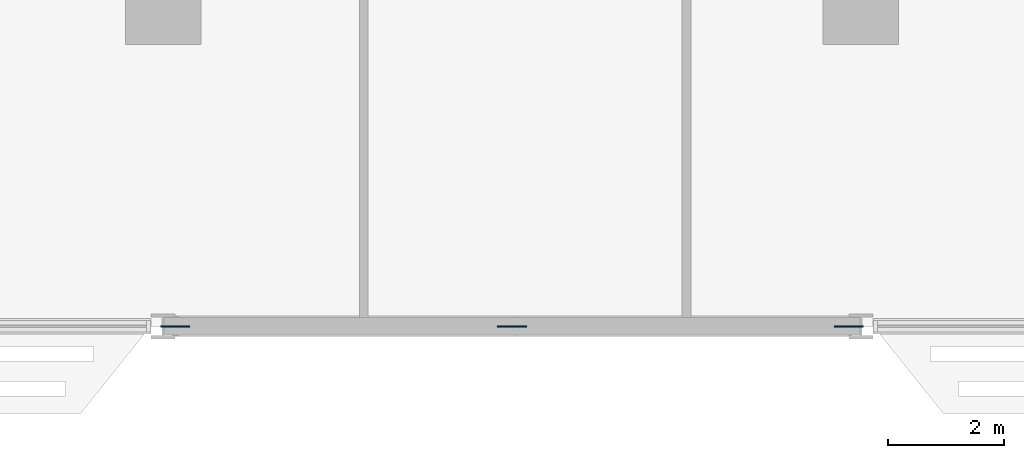
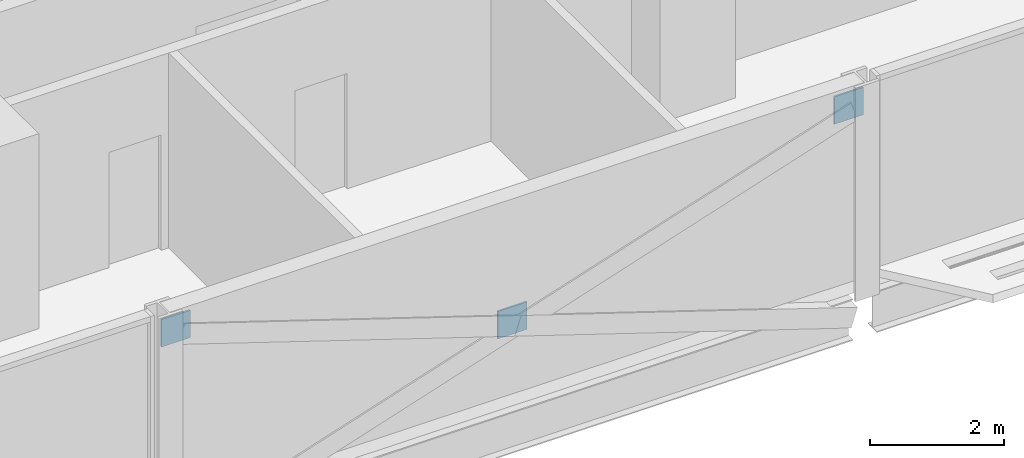
# One storey, part 21 of 29: 3 discrete accessories.
"""IFC4 building model written with IfcOpenShell, lengths in metres."""

import ifcopenshell
import ifcopenshell.guid

model = None  # the IFC model being written
_history = None  # IfcOwnerHistory: only IFC2X3 demands one
_inside = {}  # id of a spatial element -> (the spatial element, [elements in it])
_under = {}  # id of a project, library or spatial element -> (it, [spatial elements below it])
_declared = {}  # id of a project -> (the project, [libraries it declares])
_typed = {}  # id of a type object -> (the type object, [elements of that type])
_made_of = {}  # id of a material, layer set ... -> (it, [elements and type objects made of it])


def new_model(schema):
    """Start an empty IFC model of exactly this schema.

    Asked for "IFC4X3", IfcOpenShell would pick the latest addendum, in which some entities
    have other attributes; the version numbers below select the first issue.
    IFC2X3 requires an IfcOwnerHistory on every rooted entity: one is made here for all.
    """
    global model, _history
    if schema == "IFC4X3":
        model = ifcopenshell.file(schema_version=(4, 3, 0, 0))
    else:
        model = ifcopenshell.file(schema=schema)
    _inside.clear()
    _under.clear()
    _declared.clear()
    _typed.clear()
    _made_of.clear()
    _history = None
    if model.schema == "IFC2X3":
        org = make("IfcOrganization", Name="unknown")
        user = make(
            "IfcPersonAndOrganization",
            ThePerson=make("IfcPerson", FamilyName="unknown"),
            TheOrganization=org,
        )
        app = make(
            "IfcApplication",
            ApplicationDeveloper=org,
            Version="unknown",
            ApplicationFullName="unknown",
            ApplicationIdentifier="unknown",
        )
        _history = make(
            "IfcOwnerHistory",
            OwningUser=user,
            OwningApplication=app,
            ChangeAction="ADDED",
            CreationDate=0,
        )
    return model


def make(cls, **values):
    """One entity of the class cls with the attributes given. An attribute that is None is left unset."""
    return model.create_entity(
        cls, **{name: value for name, value in values.items() if value is not None}
    )


def rooted(cls, **values):
    """An entity with a GlobalId (a new one), such as an element, a storey or a relation."""
    return make(cls, GlobalId=ifcopenshell.guid.new(), OwnerHistory=_history, **values)


def si_unit(unit_type, name, prefix=None):
    """IfcSIUnit, for example si_unit("LENGTHUNIT", "METRE", prefix="MILLI")."""
    return make("IfcSIUnit", UnitType=unit_type, Prefix=prefix, Name=name)


def assignment(units):
    """IfcUnitAssignment: the units of a project."""
    return None if units is None else make("IfcUnitAssignment", Units=units)


def point(xyz):
    """IfcCartesianPoint."""
    return None if xyz is None else make("IfcCartesianPoint", Coordinates=xyz)


def direction(xyz):
    """IfcDirection."""
    return None if xyz is None else make("IfcDirection", DirectionRatios=xyz)


def frame(location, z_axis=None, x_axis=None):
    """IfcAxis2Placement3D, a coordinate frame: its origin and axes. An axis left out is left unset."""
    return make(
        "IfcAxis2Placement3D",
        Location=point(location),
        Axis=direction(z_axis),
        RefDirection=direction(x_axis),
    )


def frame_2d(location, x_axis=None):
    """IfcAxis2Placement2D, a coordinate frame in the plane: its origin and x axis."""
    return make(
        "IfcAxis2Placement2D", Location=point(location), RefDirection=direction(x_axis)
    )


def origin():
    """The frame at (0, 0, 0) with its axes left unset."""
    return frame((0.0, 0.0, 0.0))


def origin_2d():
    """The frame at (0, 0) in the plane with its x axis left unset."""
    return frame_2d((0.0, 0.0))


def place(relative_to, where):
    """IfcLocalPlacement: puts the frame where relative to a parent placement (None: the world)."""
    return make(
        "IfcLocalPlacement", PlacementRelTo=relative_to, RelativePlacement=where
    )


def context(
    kind, dimensions, precision=None, world=None, true_north=None, identifier=None
):
    """IfcGeometricRepresentationContext, for example the 3D "Model" context."""
    return make(
        "IfcGeometricRepresentationContext",
        ContextIdentifier=identifier,
        ContextType=kind,
        CoordinateSpaceDimension=dimensions,
        Precision=precision,
        WorldCoordinateSystem=world,
        TrueNorth=true_north,
    )


def subcontext(parent, identifier, kind, view, scale=None):
    """IfcGeometricRepresentationSubContext, for example "Body" below "Model"."""
    return make(
        "IfcGeometricRepresentationSubContext",
        ContextIdentifier=identifier,
        ContextType=kind,
        ParentContext=parent,
        TargetScale=scale,
        TargetView=view,
    )


def project(units=None, contexts=None):
    """IfcProject with its units and contexts."""
    return rooted(
        "IfcProject",
        Name="project",
        RepresentationContexts=contexts,
        UnitsInContext=assignment(units),
    )


def spatial(cls, under=None, at=None, **own):
    """A site, building, storey or space (cls), placed at a placement, below another one or the project."""
    s = rooted(cls, ObjectPlacement=at, **own)
    if under is not None:
        _under.setdefault(under.id(), (under, []))[1].append(s)
    return s


def profile(cls, at=None, kind="AREA", **sizes):
    """A parametric profile (cls). Its sizes go by their IFC names, for example OverallWidth=200.0."""
    return make(cls, ProfileType=kind, Position=at, **sizes)


def rectangle(**sizes):
    """IfcRectangleProfileDef."""
    return profile("IfcRectangleProfileDef", **sizes)


def extrude(swept, where, along, depth):
    """IfcExtrudedAreaSolid: the profile swept, set in the frame where, extruded along a direction by depth."""
    return make(
        "IfcExtrudedAreaSolid",
        SweptArea=swept,
        Position=where,
        ExtrudedDirection=direction(along),
        Depth=depth,
    )


def shape(context_of_items, identifier, shape_type, items):
    """IfcShapeRepresentation: the items that make up one representation, for example the "Body"."""
    return make(
        "IfcShapeRepresentation",
        ContextOfItems=context_of_items,
        RepresentationIdentifier=identifier,
        RepresentationType=shape_type,
        Items=items,
    )


def material(Name=None, Category=None):
    """IfcMaterial."""
    return make("IfcMaterial", Name=Name, Category=Category)


def layer(
    of_material, thickness, ventilated=None, Name=None, Category=None, Priority=None
):
    """IfcMaterialLayer: one layer of a wall or slab, of a material (None: an air gap)."""
    return make(
        "IfcMaterialLayer",
        Material=of_material,
        LayerThickness=thickness,
        IsVentilated=ventilated,
        Name=Name,
        Category=Category,
        Priority=Priority,
    )


def layer_set(layers, Name=None):
    """IfcMaterialLayerSet."""
    return make("IfcMaterialLayerSet", MaterialLayers=layers, LayerSetName=Name)


def made_of(thing, what):
    """Note that an element or type object is made of a material, layer set ...; save() writes the relation."""
    if what is not None:
        _made_of.setdefault(what.id(), (what, []))[1].append(thing)
    return thing


def type_object(cls, material=None, **own):
    """A type object (cls), such as IfcWallType, which elements share."""
    return made_of(rooted(cls, **own), material)


def element(
    cls,
    number,
    at=None,
    inside=None,
    cuts=None,
    type_object=None,
    material=None,
    context=None,
    identifier="Body",
    shape_type=None,
    held_by="IfcProductDefinitionShape",
    body=None,
    shapes=None,
    **own,
):
    """One element of the class cls, such as IfcWall. Its Tag is "e" and its number.

    at: its placement. inside: the storey or other place that contains it. cuts: it is an
    opening in that element (IfcRelVoidsElement). A single representation is given by context,
    identifier, shape_type and body (its items); several are given by shapes. held_by: the class
    of the entity that holds the representations. save() writes the other relations.
    """
    e = rooted(cls, Tag="e%d" % number, ObjectPlacement=at, **own)
    if body is not None:
        shapes = [shape(context, identifier, shape_type, body)]
    if shapes is not None:
        e.Representation = make(held_by, Representations=shapes)
    if inside is not None:
        _inside.setdefault(inside.id(), (inside, []))[1].append(e)
    if cuts is not None:
        rooted(
            "IfcRelVoidsElement", RelatingBuildingElement=cuts, RelatedOpeningElement=e
        )
    if type_object is not None:
        _typed.setdefault(type_object.id(), (type_object, []))[1].append(e)
    return made_of(e, material)


def aggregate(whole, parts):
    """IfcRelAggregates: a whole, such as a stair, and the parts it consists of."""
    return rooted("IfcRelAggregates", RelatingObject=whole, RelatedObjects=parts)


def save(model, path):
    """Write the relations noted so far, then the file.

    IfcRelAggregates (storeys below a building ...), IfcRelContainedInSpatialStructure (elements
    in a storey), IfcRelDefinesByType, IfcRelAssociatesMaterial and IfcRelDeclares: one each for
    every whole, place, type object, material and project.
    """
    for whole, parts in _under.values():
        aggregate(whole, parts)
    for where, things in _inside.values():
        rooted(
            "IfcRelContainedInSpatialStructure",
            RelatedElements=things,
            RelatingStructure=where,
        )
    for kind, things in _typed.values():
        rooted("IfcRelDefinesByType", RelatedObjects=things, RelatingType=kind)
    for what, things in _made_of.values():
        rooted("IfcRelAssociatesMaterial", RelatedObjects=things, RelatingMaterial=what)
    for by, libraries in _declared.values():
        rooted("IfcRelDeclares", RelatingContext=by, RelatedDefinitions=libraries)
    model.write(path)


model = new_model("IFC4")

# Units and contexts
model_context = context("Model", 3, precision=1e-05, world=origin(), true_north=direction((0.0, 1.0)))
body_context = subcontext(model_context, "Body", "Model", "MODEL_VIEW")
ifc_project = project(units=[si_unit("LENGTHUNIT", "METRE"), si_unit("AREAUNIT", "SQUARE_METRE"), si_unit("VOLUMEUNIT", "CUBIC_METRE"), si_unit("PLANEANGLEUNIT", "RADIAN"), si_unit("MASSUNIT", "GRAM", prefix="KILO")], contexts=[model_context])

# Site, building, storey
site_placement = place(None, origin())
site = spatial("IfcSite", under=ifc_project, at=site_placement, CompositionType="ELEMENT")
building_placement = place(site_placement, origin())
building = spatial("IfcBuilding", under=site, at=building_placement, Name="Mahtab Terrace Research Tower", CompositionType="ELEMENT")
storey_placement = place(building_placement, frame((0.0, 0.0, 150.699951171875)))
storey = spatial("IfcBuildingStorey", under=building, at=storey_placement, Name="L35", CompositionType="ELEMENT", Elevation=150.699951171875)

# Discrete accessories
ifc_material = material(Name="Steel ASTM A992 Gr 50", Category="steel")
ifc_layer = layer(ifc_material, 0.030029296875)
ifc_layer_set = layer_set([ifc_layer], Name="Gusset plate 500x500x30")
discrete_accessory_type = type_object("IfcDiscreteAccessoryType", Name="Gusset plate 500x500x30", PredefinedType="USERDEFINED", material=ifc_layer_set)
for number, where, z_axis, x_axis, name in (
    (1, (-5.794189453125, -17.0, 2.85498046875), (0.0, 0.0, 1.0), (1.0, 0.0, 0.0), "Gusset plate"),
    (2, (0.0, -17.0, 0.9765625), (0.0, 0.0, 1.0), (1.0, 0.0, 0.0), "Gusset plate"),
    (3, (5.794189453125, -17.0, 2.85498046875), (0.0, 0.0, 1.0), (1.0, 0.0, 0.0), "Gusset plate"),
):
    element("IfcDiscreteAccessory", number, at=place(storey_placement, frame(where, z_axis=z_axis, x_axis=x_axis)), inside=storey, type_object=discrete_accessory_type, Name=name, ObjectType="GUSSET PLATE", PredefinedType="USERDEFINED", context=body_context, shape_type="SweptSolid", body=[
        extrude(rectangle(XDim=0.5, YDim=0.030029296875, at=origin_2d()), origin(), (0.0, 0.0, 1.0), 0.5),
    ])

save(model, "model.ifc")
